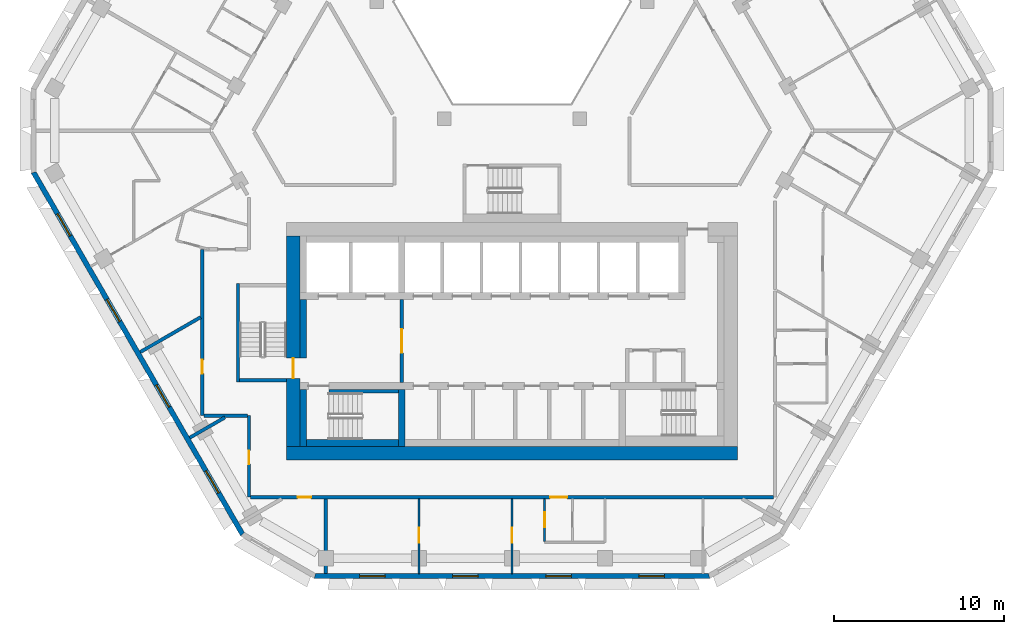
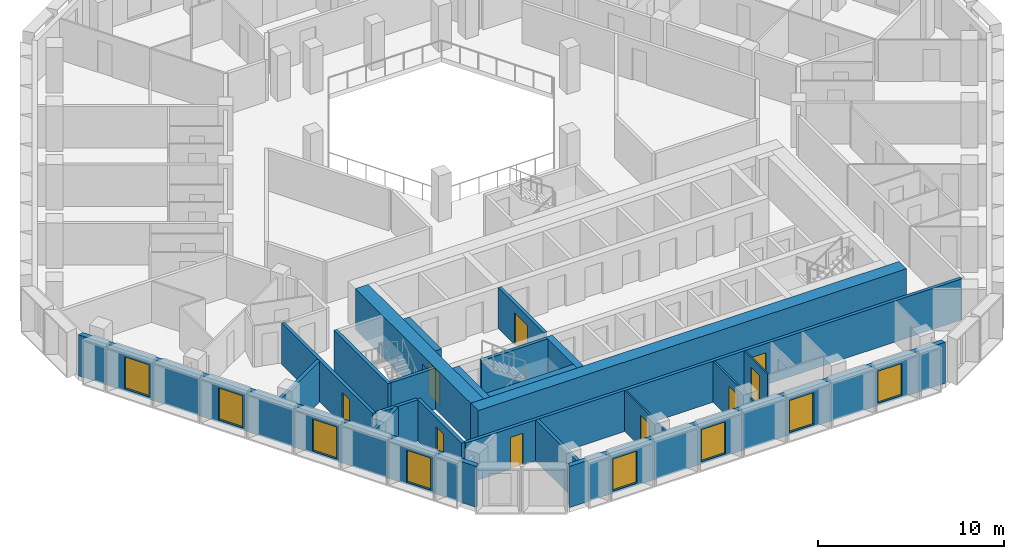
# One storey, part 3 of 15: 22 walls, 9 doors, 8 windows, 17 openings.
"""IFC4 building model written with IfcOpenShell, lengths in metres."""

from ifc_helpers import new_model, si_unit, direction, frame, frame_2d, origin, place, context, subcontext, project, spatial, polyline, rectangle, outline, extrude, material, layer, layer_set, type_object, element, fill, save


model = new_model("IFC4")

# Units and contexts
model_context = context("Model", 3, precision=1e-05, world=origin(), true_north=direction((0.0, 1.0)))
body_context = subcontext(model_context, "Body", "Model", "MODEL_VIEW")
ifc_project = project(units=[si_unit("LENGTHUNIT", "METRE"), si_unit("AREAUNIT", "SQUARE_METRE"), si_unit("VOLUMEUNIT", "CUBIC_METRE"), si_unit("PLANEANGLEUNIT", "RADIAN"), si_unit("MASSUNIT", "GRAM", prefix="KILO")], contexts=[model_context])

# Site, building, storey
site_placement = place(None, origin())
site = spatial("IfcSite", under=ifc_project, at=site_placement, CompositionType="ELEMENT")
building_placement = place(site_placement, origin())
building = spatial("IfcBuilding", under=site, at=building_placement, Name="Beryl Residences", CompositionType="ELEMENT")
storey_placement = place(building_placement, frame((0.0, 0.0, 141.60009765625)))
storey = spatial("IfcBuildingStorey", under=building, at=storey_placement, Name="L43", CompositionType="ELEMENT", Elevation=141.60009765625)

# Wall, openings, windows
ifc_material_1 = material(Name="Composite metal panel with mineral wool insulation")
ifc_layer_1 = layer(ifc_material_1, 0.300048828125)
ifc_layer_set_1 = layer_set([ifc_layer_1], Name="ES1 pale metal composite panel wall 300 mm")
wall_type_1 = type_object("IfcWallType", Name="ES1 pale metal composite panel wall 300 mm", PredefinedType="SOLIDWALL", material=ifc_layer_set_1)
wall_1_placement = place(storey_placement, frame((-28.218017578125, -2.02490234375, 0.0), z_axis=(0.0, 0.0, 1.0), x_axis=(0.500017503135, -0.866015298109, 0.0)))
wall_1 = element("IfcWall", 1, at=wall_1_placement, inside=storey, type_object=wall_type_1, Name="ES1 external wall L43 SW", PredefinedType="SOLIDWALL", context=body_context, shape_type="SweptSolid", body=[
    extrude(outline(polyline([(0.0, -0.14990234375), (24.7109375, -0.14990234375), (24.630615234375, 0.14990234375), (0.080322265625, 0.14990234375), (0.0, -0.14990234375)])), origin(), (0.0, 0.0, 1.0), 2.699951171875),
])
opening_1_placement = place(wall_1_placement, frame((2.85693359375, 0.0, 0.14990234375)))
opening_1 = element("IfcOpeningElement", 2, at=opening_1_placement, cuts=wall_1, Name="Opening W1", PredefinedType="OPENING", context=body_context, shape_type="SweptSolid", body=[
    extrude(rectangle(XDim=1.5, YDim=2.10009765625, at=frame_2d((0.75, 1.050048828125))), frame((0.0, 0.159912109375, 0.0), z_axis=(0.0, -1.0, 0.0), x_axis=(1.0, 0.0, 0.0)), (0.0, 0.0, 1.0), 0.320068359375),
])
opening_2_placement = place(wall_1_placement, frame((8.68896484375, 0.0, 0.14990234375)))
opening_2 = element("IfcOpeningElement", 3, at=opening_2_placement, cuts=wall_1, Name="Opening W1", PredefinedType="OPENING", context=body_context, shape_type="SweptSolid", body=[
    extrude(rectangle(XDim=1.5, YDim=2.10009765625, at=frame_2d((0.75, 1.050048828125))), frame((0.0, 0.159912109375, 0.0), z_axis=(0.0, -1.0, 0.0), x_axis=(1.0, 0.0, 0.0)), (0.0, 0.0, 1.0), 0.320068359375),
])
opening_3_placement = place(wall_1_placement, frame((14.52001953125, 0.0, 0.14990234375)))
opening_3 = element("IfcOpeningElement", 4, at=opening_3_placement, cuts=wall_1, Name="Opening W1", PredefinedType="OPENING", context=body_context, shape_type="SweptSolid", body=[
    extrude(rectangle(XDim=1.5, YDim=2.10009765625, at=frame_2d((0.75, 1.050048828125))), frame((0.0, 0.159912109375, 0.0), z_axis=(0.0, -1.0, 0.0), x_axis=(1.0, 0.0, 0.0)), (0.0, 0.0, 1.0), 0.320068359375),
])
opening_4_placement = place(wall_1_placement, frame((20.35107421875, 0.0, 0.14990234375)))
opening_4 = element("IfcOpeningElement", 5, at=opening_4_placement, cuts=wall_1, Name="Opening W1", PredefinedType="OPENING", context=body_context, shape_type="SweptSolid", body=[
    extrude(rectangle(XDim=1.5, YDim=2.10009765625, at=frame_2d((0.75, 1.050048828125))), frame((0.0, 0.159912109375, 0.0), z_axis=(0.0, -1.0, 0.0), x_axis=(1.0, 0.0, 0.0)), (0.0, 0.0, 1.0), 0.320068359375),
])
ifc_material_2 = material(Name="Aluminium and clear glass", Category="aluminium")
window_type = type_object("IfcWindowType", Name="W1 cell window 1500 x 2100 mm", PartitioningType="SINGLE_PANEL", PredefinedType="WINDOW", material=ifc_material_2)
window_1_placement = place(opening_1_placement, origin())
window_1 = element("IfcWindow", 6, at=window_1_placement, inside=storey, type_object=window_type, Name="W1 window L43 SW 2", OverallHeight=2.10009765625, OverallWidth=1.5, PartitioningType="SINGLE_PANEL", PredefinedType="WINDOW", context=body_context, shape_type="SweptSolid", body=[
    extrude(rectangle(XDim=1.5, YDim=2.10009765625, at=frame_2d((0.75, 1.050048828125))), frame((0.0, 0.030029296875, 0.0), z_axis=(0.0, -1.0, 0.0), x_axis=(1.0, 0.0, 0.0)), (0.0, 0.0, 1.0), 0.06005859375),
])
fill(opening_1, window_1)
window_2_placement = place(opening_2_placement, origin())
window_2 = element("IfcWindow", 7, at=window_2_placement, inside=storey, type_object=window_type, Name="W1 window L43 SW 4", OverallHeight=2.10009765625, OverallWidth=1.5, PartitioningType="SINGLE_PANEL", PredefinedType="WINDOW", context=body_context, shape_type="SweptSolid", body=[
    extrude(rectangle(XDim=1.5, YDim=2.10009765625, at=frame_2d((0.75, 1.050048828125))), frame((0.0, 0.030029296875, 0.0), z_axis=(0.0, -1.0, 0.0), x_axis=(1.0, 0.0, 0.0)), (0.0, 0.0, 1.0), 0.06005859375),
])
fill(opening_2, window_2)
window_3_placement = place(opening_3_placement, origin())
window_3 = element("IfcWindow", 8, at=window_3_placement, inside=storey, type_object=window_type, Name="W1 window L43 SW 6", OverallHeight=2.10009765625, OverallWidth=1.5, PartitioningType="SINGLE_PANEL", PredefinedType="WINDOW", context=body_context, shape_type="SweptSolid", body=[
    extrude(rectangle(XDim=1.5, YDim=2.10009765625, at=frame_2d((0.75, 1.050048828125))), frame((0.0, 0.030029296875, 0.0), z_axis=(0.0, -1.0, 0.0), x_axis=(1.0, 0.0, 0.0)), (0.0, 0.0, 1.0), 0.06005859375),
])
fill(opening_3, window_3)
window_4_placement = place(opening_4_placement, origin())
window_4 = element("IfcWindow", 9, at=window_4_placement, inside=storey, type_object=window_type, Name="W1 window L43 SW 8", OverallHeight=2.10009765625, OverallWidth=1.5, PartitioningType="SINGLE_PANEL", PredefinedType="WINDOW", context=body_context, shape_type="SweptSolid", body=[
    extrude(rectangle(XDim=1.5, YDim=2.10009765625, at=frame_2d((0.75, 1.050048828125))), frame((0.0, 0.030029296875, 0.0), z_axis=(0.0, -1.0, 0.0), x_axis=(1.0, 0.0, 0.0)), (0.0, 0.0, 1.0), 0.06005859375),
])
fill(opening_4, window_4)

wall_2_placement = place(storey_placement, frame((-11.662109375, -25.85009765625, 0.0), z_axis=(0.0, 0.0, 1.0), x_axis=(1.0, 0.0, 0.0)))
wall_2 = element("IfcWall", 10, at=wall_2_placement, inside=storey, type_object=wall_type_1, Name="ES1 external wall L43 S", PredefinedType="SOLIDWALL", context=body_context, shape_type="SweptSolid", body=[
    extrude(outline(polyline([(0.0, -0.14990234375), (23.32421875, -0.14990234375), (23.243896484375, 0.14990234375), (0.080322265625, 0.14990234375), (0.0, -0.14990234375)])), origin(), (0.0, 0.0, 1.0), 2.699951171875),
])
opening_5_placement = place(wall_2_placement, frame((2.68603515625, 0.0, 0.14990234375)))
opening_5 = element("IfcOpeningElement", 11, at=opening_5_placement, cuts=wall_2, Name="Opening W1", PredefinedType="OPENING", context=body_context, shape_type="SweptSolid", body=[
    extrude(rectangle(XDim=1.5, YDim=2.10009765625, at=frame_2d((0.75, 1.050048828125))), frame((0.0, 0.159912109375, 0.0), z_axis=(0.0, -1.0, 0.0), x_axis=(1.0, 0.0, 0.0)), (0.0, 0.0, 1.0), 0.320068359375),
])
opening_6_placement = place(wall_2_placement, frame((8.169921875, 0.0, 0.14990234375)))
opening_6 = element("IfcOpeningElement", 12, at=opening_6_placement, cuts=wall_2, Name="Opening W1", PredefinedType="OPENING", context=body_context, shape_type="SweptSolid", body=[
    extrude(rectangle(XDim=1.5, YDim=2.10009765625, at=frame_2d((0.75, 1.050048828125))), frame((0.0, 0.159912109375, 0.0), z_axis=(0.0, -1.0, 0.0), x_axis=(1.0, 0.0, 0.0)), (0.0, 0.0, 1.0), 0.320068359375),
])
opening_7_placement = place(wall_2_placement, frame((13.656005859375, 0.0, 0.14990234375)))
opening_7 = element("IfcOpeningElement", 13, at=opening_7_placement, cuts=wall_2, Name="Opening W1", PredefinedType="OPENING", context=body_context, shape_type="SweptSolid", body=[
    extrude(rectangle(XDim=1.5, YDim=2.10009765625, at=frame_2d((0.75, 1.050048828125))), frame((0.0, 0.159912109375, 0.0), z_axis=(0.0, -1.0, 0.0), x_axis=(1.0, 0.0, 0.0)), (0.0, 0.0, 1.0), 0.320068359375),
])
opening_8_placement = place(wall_2_placement, frame((19.14111328125, 0.0, 0.14990234375)))
opening_8 = element("IfcOpeningElement", 14, at=opening_8_placement, cuts=wall_2, Name="Opening W1", PredefinedType="OPENING", context=body_context, shape_type="SweptSolid", body=[
    extrude(rectangle(XDim=1.5, YDim=2.10009765625, at=frame_2d((0.75, 1.050048828125))), frame((0.0, 0.159912109375, 0.0), z_axis=(0.0, -1.0, 0.0), x_axis=(1.0, 0.0, 0.0)), (0.0, 0.0, 1.0), 0.320068359375),
])
window_5_placement = place(opening_5_placement, origin())
window_5 = element("IfcWindow", 15, at=window_5_placement, inside=storey, type_object=window_type, Name="W1 window L43 S 2", OverallHeight=2.10009765625, OverallWidth=1.5, PartitioningType="SINGLE_PANEL", PredefinedType="WINDOW", context=body_context, shape_type="SweptSolid", body=[
    extrude(rectangle(XDim=1.5, YDim=2.10009765625, at=frame_2d((0.75, 1.050048828125))), frame((0.0, 0.030029296875, 0.0), z_axis=(0.0, -1.0, 0.0), x_axis=(1.0, 0.0, 0.0)), (0.0, 0.0, 1.0), 0.06005859375),
])
fill(opening_5, window_5)
window_6_placement = place(opening_6_placement, origin())
window_6 = element("IfcWindow", 16, at=window_6_placement, inside=storey, type_object=window_type, Name="W1 window L43 S 4", OverallHeight=2.10009765625, OverallWidth=1.5, PartitioningType="SINGLE_PANEL", PredefinedType="WINDOW", context=body_context, shape_type="SweptSolid", body=[
    extrude(rectangle(XDim=1.5, YDim=2.10009765625, at=frame_2d((0.75, 1.050048828125))), frame((0.0, 0.030029296875, 0.0), z_axis=(0.0, -1.0, 0.0), x_axis=(1.0, 0.0, 0.0)), (0.0, 0.0, 1.0), 0.06005859375),
])
fill(opening_6, window_6)
window_7_placement = place(opening_7_placement, origin())
window_7 = element("IfcWindow", 17, at=window_7_placement, inside=storey, type_object=window_type, Name="W1 window L43 S 6", OverallHeight=2.10009765625, OverallWidth=1.5, PartitioningType="SINGLE_PANEL", PredefinedType="WINDOW", context=body_context, shape_type="SweptSolid", body=[
    extrude(rectangle(XDim=1.5, YDim=2.10009765625, at=frame_2d((0.75, 1.050048828125))), frame((0.0, 0.030029296875, 0.0), z_axis=(0.0, -1.0, 0.0), x_axis=(1.0, 0.0, 0.0)), (0.0, 0.0, 1.0), 0.06005859375),
])
fill(opening_7, window_7)
window_8_placement = place(opening_8_placement, origin())
window_8 = element("IfcWindow", 18, at=window_8_placement, inside=storey, type_object=window_type, Name="W1 window L43 S 8", OverallHeight=2.10009765625, OverallWidth=1.5, PartitioningType="SINGLE_PANEL", PredefinedType="WINDOW", context=body_context, shape_type="SweptSolid", body=[
    extrude(rectangle(XDim=1.5, YDim=2.10009765625, at=frame_2d((0.75, 1.050048828125))), frame((0.0, 0.030029296875, 0.0), z_axis=(0.0, -1.0, 0.0), x_axis=(1.0, 0.0, 0.0)), (0.0, 0.0, 1.0), 0.06005859375),
])
fill(opening_8, window_8)

# Wall, opening, door
ifc_material_3 = material(Name="Gypsum board partition on steel studs", Category="steel")
ifc_layer_2 = layer(ifc_material_3, 0.10009765625)
ifc_layer_set_2 = layer_set([ifc_layer_2], Name="PT1 partition 100 mm gypsum board on steel studs")
wall_type_2 = type_object("IfcWallType", Name="PT1 partition 100 mm gypsum board on steel studs", PredefinedType="PARTITIONING", material=ifc_layer_set_2)
wall_3_placement = place(storey_placement, frame((1.9208984375, -21.300048828125, 0.0), z_axis=(0.0, 0.0, 1.0), x_axis=(0.0, -1.0, 0.0)))
wall_3 = element("IfcWall", 19, at=wall_3_placement, inside=storey, type_object=wall_type_2, Name="Wall PT1 L43 006", PredefinedType="PARTITIONING", context=body_context, shape_type="SweptSolid", body=[
    extrude(rectangle(XDim=2.509033203125, YDim=0.10009765625, at=frame_2d((1.25439453125, 0.0))), origin(), (0.0, 0.0, 1.0), 2.699951171875),
])
opening_9_placement = place(wall_3_placement, frame((0.780029296875, 0.0, 0.0)))
opening_9 = element("IfcOpeningElement", 20, at=opening_9_placement, cuts=wall_3, Name="Opening D1302", PredefinedType="OPENING", context=body_context, shape_type="SweptSolid", body=[
    extrude(rectangle(XDim=0.89990234375, YDim=2.10009765625, at=frame_2d((0.449951171875, 1.050048828125))), frame((0.0, 0.06005859375, 0.0), z_axis=(0.0, -1.0, 0.0), x_axis=(1.0, 0.0, 0.0)), (0.0, 0.0, 1.0), 0.1201171875),
])
ifc_material_4 = material(Name="Timber door leaf", Category="wood")
door_type_1 = type_object("IfcDoorType", Name="D2 room door 900 x 2100 mm", OperationType="SINGLE_SWING_LEFT", PredefinedType="DOOR", material=ifc_material_4)
door_1_placement = place(opening_9_placement, origin())
door_1 = element("IfcDoor", 21, at=door_1_placement, inside=storey, type_object=door_type_1, Name="Door D1302 L43 001", OperationType="SINGLE_SWING_RIGHT", OverallHeight=2.10009765625, OverallWidth=0.89990234375, PredefinedType="DOOR", context=body_context, shape_type="SweptSolid", body=[
    extrude(rectangle(XDim=0.89990234375, YDim=2.10009765625, at=frame_2d((0.449951171875, 1.050048828125))), frame((0.0, 0.02490234375, 0.0), z_axis=(0.0, -1.0, 0.0), x_axis=(1.0, 0.0, 0.0)), (0.0, 0.0, 1.0), 0.050048828125),
])
fill(opening_9, door_1)

wall_4_placement = place(storey_placement, frame((0.0009765625, -25.699951171875, 0.0), z_axis=(0.0, 0.0, 1.0), x_axis=(0.0, 1.0, 0.0)))
wall_4 = element("IfcWall", 22, at=wall_4_placement, inside=storey, type_object=wall_type_2, Name="Wall PT1 L43 042", PredefinedType="PARTITIONING", context=body_context, shape_type="SweptSolid", body=[
    extrude(rectangle(XDim=4.39990234375, YDim=0.10009765625, at=frame_2d((2.199951171875, 0.0))), origin(), (0.0, 0.0, 1.0), 2.699951171875),
])
opening_10_placement = place(wall_4_placement, frame((1.800048828125, 0.0, 0.0)))
opening_10 = element("IfcOpeningElement", 23, at=opening_10_placement, cuts=wall_4, Name="Opening D1305", PredefinedType="OPENING", context=body_context, shape_type="SweptSolid", body=[
    extrude(rectangle(XDim=0.89990234375, YDim=2.10009765625, at=frame_2d((0.449951171875, 1.050048828125))), frame((0.0, 0.06005859375, 0.0), z_axis=(0.0, -1.0, 0.0), x_axis=(1.0, 0.0, 0.0)), (0.0, 0.0, 1.0), 0.1201171875),
])
door_2_placement = place(opening_10_placement, origin())
door_2 = element("IfcDoor", 24, at=door_2_placement, inside=storey, type_object=door_type_1, Name="Door D1305 L43 001", OperationType="SINGLE_SWING_LEFT", OverallHeight=2.10009765625, OverallWidth=0.89990234375, PredefinedType="DOOR", context=body_context, shape_type="SweptSolid", body=[
    extrude(rectangle(XDim=0.89990234375, YDim=2.10009765625, at=frame_2d((0.449951171875, 1.050048828125))), frame((0.0, 0.02490234375, 0.0), z_axis=(0.0, -1.0, 0.0), x_axis=(1.0, 0.0, 0.0)), (0.0, 0.0, 1.0), 0.050048828125),
])
fill(opening_10, door_2)

wall_5_placement = place(storey_placement, frame((-5.48388671875, -25.699951171875, 0.0), z_axis=(0.0, 0.0, 1.0), x_axis=(0.0, 1.0, 0.0)))
wall_5 = element("IfcWall", 25, at=wall_5_placement, inside=storey, type_object=wall_type_2, Name="Wall PT1 L43 044", PredefinedType="PARTITIONING", context=body_context, shape_type="SweptSolid", body=[
    extrude(rectangle(XDim=4.39990234375, YDim=0.10009765625, at=frame_2d((2.199951171875, 0.0))), origin(), (0.0, 0.0, 1.0), 2.699951171875),
])
opening_11_placement = place(wall_5_placement, frame((1.800048828125, 0.0, 0.0)))
opening_11 = element("IfcOpeningElement", 26, at=opening_11_placement, cuts=wall_5, Name="Opening D1306", PredefinedType="OPENING", context=body_context, shape_type="SweptSolid", body=[
    extrude(rectangle(XDim=0.89990234375, YDim=2.10009765625, at=frame_2d((0.449951171875, 1.050048828125))), frame((0.0, 0.06005859375, 0.0), z_axis=(0.0, -1.0, 0.0), x_axis=(1.0, 0.0, 0.0)), (0.0, 0.0, 1.0), 0.1201171875),
])
door_3_placement = place(opening_11_placement, origin())
door_3 = element("IfcDoor", 27, at=door_3_placement, inside=storey, type_object=door_type_1, Name="Door D1306 L43 001", OperationType="SINGLE_SWING_RIGHT", OverallHeight=2.10009765625, OverallWidth=0.89990234375, PredefinedType="DOOR", context=body_context, shape_type="SweptSolid", body=[
    extrude(rectangle(XDim=0.89990234375, YDim=2.10009765625, at=frame_2d((0.449951171875, 1.050048828125))), frame((0.0, 0.02490234375, 0.0), z_axis=(0.0, -1.0, 0.0), x_axis=(1.0, 0.0, 0.0)), (0.0, 0.0, 1.0), 0.050048828125),
])
fill(opening_11, door_3)

ifc_material_5 = material(Name="Concrete masonry", Category="masonry")
ifc_layer_3 = layer(ifc_material_5, 0.199951171875)
ifc_layer_set_3 = layer_set([ifc_layer_3], Name="PT13 lobby wall 200 mm")
wall_type_3 = type_object("IfcWallType", Name="PT13 lobby wall 200 mm", PredefinedType="PARTITIONING", material=ifc_layer_set_3)
wall_6_placement = place(storey_placement, frame((-6.5, -14.449951171875, 0.0), z_axis=(0.0, 0.0, 1.0), x_axis=(0.0, 1.0, 0.0)))
wall_6 = element("IfcWall", 28, at=wall_6_placement, inside=storey, type_object=wall_type_3, Name="Lobby wall 11", PredefinedType="PARTITIONING", context=body_context, shape_type="SweptSolid", body=[
    extrude(rectangle(XDim=4.89990234375, YDim=0.199951171875, at=frame_2d((2.449951171875, 0.0))), origin(), (0.0, 0.0, 1.0), 2.699951171875),
])
opening_12_placement = place(wall_6_placement, frame((3.14990234375, 0.0, 0.0), z_axis=(0.0, 0.0, 1.0), x_axis=(-1.0, 0.0, 0.0)))
opening_12 = element("IfcOpeningElement", 29, at=opening_12_placement, cuts=wall_6, Name="Opening FD-FFL", PredefinedType="OPENING", context=body_context, shape_type="SweptSolid", body=[
    extrude(rectangle(XDim=1.39990234375, YDim=2.10009765625, at=frame_2d((0.699951171875, 1.050048828125))), frame((0.0, 0.10986328125, 0.0), z_axis=(0.0, -1.0, 0.0), x_axis=(1.0, 0.0, 0.0)), (0.0, 0.0, 1.0), 0.219970703125),
])
ifc_material_6 = material(Name="Steel door leaf in steel frame", Category="steel")
door_type_2 = type_object("IfcDoorType", Name="D5 lobby door 1400 x 2100 mm", OperationType="DOUBLE_DOOR_SINGLE_SWING", PredefinedType="DOOR", material=ifc_material_6)
door_4_placement = place(opening_12_placement, origin())
door_4 = element("IfcDoor", 30, at=door_4_placement, inside=storey, type_object=door_type_2, Name="Door FD-FFL L43 001", OperationType="DOUBLE_DOOR_SINGLE_SWING", OverallHeight=2.10009765625, OverallWidth=1.39990234375, PredefinedType="DOOR", context=body_context, shape_type="SweptSolid", body=[
    extrude(rectangle(XDim=1.39990234375, YDim=2.10009765625, at=frame_2d((0.699951171875, 1.050048828125))), frame((0.0, 0.02490234375, 0.0), z_axis=(0.0, -1.0, 0.0), x_axis=(1.0, 0.0, 0.0)), (0.0, 0.0, 1.0), 0.050048828125),
])
fill(opening_12, door_4)

# Walls
ifc_material_7 = material(Name="Concrete masonry", Category="masonry")
ifc_layer_4 = layer(ifc_material_7, 0.39990234375)
ifc_layer_set_4 = layer_set([ifc_layer_4], Name="PT13-400 lobby wall 400 mm")
wall_type_4 = type_object("IfcWallType", Name="PT13-400 lobby wall 400 mm", PredefinedType="PARTITIONING", material=ifc_layer_set_4)
wall_7_placement = place(storey_placement, frame((-12.300048828125, -13.0, 0.0), z_axis=(0.0, 0.0, 1.0), x_axis=(0.0, 1.0, 0.0)))
element("IfcWall", 31, at=wall_7_placement, inside=storey, type_object=wall_type_4, Name="Lobby wall 05", PredefinedType="PARTITIONING", context=body_context, shape_type="SweptSolid", body=[
    extrude(rectangle(XDim=3.449951171875, YDim=0.39990234375, at=frame_2d((1.72509765625, 0.0))), origin(), (0.0, 0.0, 1.0), 2.699951171875),
])
ifc_material_8 = material(Name="Acoustic double stud gypsum board wall")
ifc_layer_5 = layer(ifc_material_8, 0.199951171875)
ifc_layer_set_5 = layer_set([ifc_layer_5], Name="PT3 party wall 200 mm acoustic double stud")
wall_type_5 = type_object("IfcWallType", Name="PT3 party wall 200 mm acoustic double stud", PredefinedType="PARTITIONING", material=ifc_layer_set_5)
wall_8_placement = place(storey_placement, frame((-10.968994140625, -25.699951171875, 0.0), z_axis=(0.0, 0.0, 1.0), x_axis=(0.0, 1.0, 0.0)))
element("IfcWall", 32, at=wall_8_placement, inside=storey, type_object=wall_type_5, Name="Wall PT3 L43 009", PredefinedType="PARTITIONING", context=body_context, shape_type="SweptSolid", body=[
    extrude(rectangle(XDim=4.39990234375, YDim=0.199951171875, at=frame_2d((2.199951171875, 0.0))), origin(), (0.0, 0.0, 1.0), 2.699951171875),
])
wall_9_placement = place(storey_placement, frame((-18.9951171875, -17.698974609375, 0.0), z_axis=(0.0, 0.0, 1.0), x_axis=(0.86607371389, 0.499916315105, 0.0)))
element("IfcWall", 33, at=wall_9_placement, inside=storey, type_object=wall_type_5, Name="Wall PT3 L43 010", PredefinedType="PARTITIONING", context=body_context, shape_type="SweptSolid", body=[
    extrude(rectangle(XDim=2.3984375, YDim=0.199951171875, at=frame_2d((1.19921875, 0.0))), origin(), (0.0, 0.0, 1.0), 2.699951171875),
])
wall_10_placement = place(storey_placement, frame((-21.910888671875, -12.64892578125, 0.0), z_axis=(0.0, 0.0, 1.0), x_axis=(0.866016499285, 0.500015422728, 0.0)))
element("IfcWall", 34, at=wall_10_placement, inside=storey, type_object=wall_type_5, Name="Wall PT3 L43 013", PredefinedType="PARTITIONING", context=body_context, shape_type="SweptSolid", body=[
    extrude(rectangle(XDim=4.111572265625, YDim=0.199951171875, at=frame_2d((2.0556640625, 0.0))), origin(), (0.0, 0.0, 1.0), 2.699951171875),
])
ifc_material_9 = material(Name="Double stud gypsum board wall")
ifc_layer_6 = layer(ifc_material_9, 0.199951171875)
ifc_layer_set_6 = layer_set([ifc_layer_6], Name="PT4 corridor wall 200 mm double stud")
wall_type_6 = type_object("IfcWallType", Name="PT4 corridor wall 200 mm double stud", PredefinedType="PARTITIONING", material=ifc_layer_set_6)
wall_11_placement = place(storey_placement, frame((-18.14990234375, -16.39990234375, 0.0), z_axis=(0.0, 0.0, 1.0), x_axis=(1.0, 0.0, 0.0)))
element("IfcWall", 35, at=wall_11_placement, inside=storey, type_object=wall_type_6, Name="Wall PT4 L43 010", PredefinedType="PARTITIONING", context=body_context, shape_type="SweptSolid", body=[
    extrude(rectangle(XDim=2.5498046875, YDim=0.199951171875, at=frame_2d((1.27490234375, 0.0))), origin(), (0.0, 0.0, 1.0), 2.699951171875),
])

# Wall, openings, doors
wall_12_placement = place(storey_placement, frame((-15.39990234375, -21.199951171875, 0.0), z_axis=(0.0, 0.0, 1.0), x_axis=(1.0, 0.0, 0.0)))
wall_12 = element("IfcWall", 36, at=wall_12_placement, inside=storey, type_object=wall_type_6, Name="Wall PT4 L43 011", PredefinedType="PARTITIONING", context=body_context, shape_type="SweptSolid", body=[
    extrude(rectangle(XDim=30.798828125, YDim=0.199951171875, at=frame_2d((15.3994140625, 0.0))), origin(), (0.0, 0.0, 1.0), 2.699951171875),
])
opening_13_placement = place(wall_12_placement, frame((17.64306640625, 0.0, 0.0)))
opening_13 = element("IfcOpeningElement", 37, at=opening_13_placement, cuts=wall_12, Name="Opening D1301", PredefinedType="OPENING", context=body_context, shape_type="SweptSolid", body=[
    extrude(rectangle(XDim=1.0, YDim=2.10009765625, at=frame_2d((0.5, 1.050048828125))), frame((0.0, 0.10986328125, 0.0), z_axis=(0.0, -1.0, 0.0), x_axis=(1.0, 0.0, 0.0)), (0.0, 0.0, 1.0), 0.219970703125),
])
opening_14_placement = place(wall_12_placement, frame((2.764892578125, 0.0, 0.0)))
opening_14 = element("IfcOpeningElement", 38, at=opening_14_placement, cuts=wall_12, Name="Opening D1355", PredefinedType="OPENING", context=body_context, shape_type="SweptSolid", body=[
    extrude(rectangle(XDim=0.800048828125, YDim=2.10009765625, at=frame_2d((0.39990234375, 1.050048828125))), frame((0.0, 0.10986328125, 0.0), z_axis=(0.0, -1.0, 0.0), x_axis=(1.0, 0.0, 0.0)), (0.0, 0.0, 1.0), 0.219970703125),
])
ifc_material_10 = material(Name="Timber door leaf", Category="wood")
door_type_3 = type_object("IfcDoorType", Name="D1 flat entrance door 1000 x 2100 mm", OperationType="SINGLE_SWING_LEFT", PredefinedType="DOOR", material=ifc_material_10)
door_5_placement = place(opening_13_placement, origin())
door_5 = element("IfcDoor", 39, at=door_5_placement, inside=storey, type_object=door_type_3, Name="Door D1301 L43 001", OperationType="SINGLE_SWING_LEFT", OverallHeight=2.10009765625, OverallWidth=1.0, PredefinedType="DOOR", context=body_context, shape_type="SweptSolid", body=[
    extrude(rectangle(XDim=1.0, YDim=2.10009765625, at=frame_2d((0.5, 1.050048828125))), frame((0.0, 0.02490234375, 0.0), z_axis=(0.0, -1.0, 0.0), x_axis=(1.0, 0.0, 0.0)), (0.0, 0.0, 1.0), 0.050048828125),
])
fill(opening_13, door_5)
ifc_material_11 = material(Name="Timber door leaf", Category="wood")
door_type_4 = type_object("IfcDoorType", Name="D3 bathroom door 800 x 2100 mm", OperationType="SINGLE_SWING_LEFT", PredefinedType="DOOR", material=ifc_material_11)
door_6_placement = place(opening_14_placement, origin())
door_6 = element("IfcDoor", 40, at=door_6_placement, inside=storey, type_object=door_type_4, Name="Door D1355 L43 001", OperationType="SINGLE_SWING_LEFT", OverallHeight=2.10009765625, OverallWidth=0.800048828125, PredefinedType="DOOR", context=body_context, shape_type="SweptSolid", body=[
    extrude(rectangle(XDim=0.800048828125, YDim=2.10009765625, at=frame_2d((0.39990234375, 1.050048828125))), frame((0.0, 0.02490234375, 0.0), z_axis=(0.0, -1.0, 0.0), x_axis=(1.0, 0.0, 0.0)), (0.0, 0.0, 1.0), 0.050048828125),
])
fill(opening_14, door_6)

# Wall, opening, door
wall_13_placement = place(storey_placement, frame((-15.5, -21.199951171875, 0.0), z_axis=(0.0, 0.0, 1.0), x_axis=(0.0, 1.0, 0.0)))
wall_13 = element("IfcWall", 41, at=wall_13_placement, inside=storey, type_object=wall_type_6, Name="Wall PT4 L43 027", PredefinedType="PARTITIONING", context=body_context, shape_type="SweptSolid", body=[
    extrude(rectangle(XDim=4.800048828125, YDim=0.199951171875, at=frame_2d((2.39990234375, 0.0))), origin(), (0.0, 0.0, 1.0), 2.699951171875),
])
opening_15_placement = place(wall_13_placement, frame((1.93994140625, 0.0, 0.0)))
opening_15 = element("IfcOpeningElement", 42, at=opening_15_placement, cuts=wall_13, Name="Opening D1354", PredefinedType="OPENING", context=body_context, shape_type="SweptSolid", body=[
    extrude(rectangle(XDim=0.800048828125, YDim=2.10009765625, at=frame_2d((0.39990234375, 1.050048828125))), frame((0.0, 0.10986328125, 0.0), z_axis=(0.0, -1.0, 0.0), x_axis=(1.0, 0.0, 0.0)), (0.0, 0.0, 1.0), 0.219970703125),
])
door_7_placement = place(opening_15_placement, origin())
door_7 = element("IfcDoor", 43, at=door_7_placement, inside=storey, type_object=door_type_4, Name="Door D1354 L43 001", OperationType="SINGLE_SWING_RIGHT", OverallHeight=2.10009765625, OverallWidth=0.800048828125, PredefinedType="DOOR", context=body_context, shape_type="SweptSolid", body=[
    extrude(rectangle(XDim=0.800048828125, YDim=2.10009765625, at=frame_2d((0.39990234375, 1.050048828125))), frame((0.0, 0.02490234375, 0.0), z_axis=(0.0, -1.0, 0.0), x_axis=(1.0, 0.0, 0.0)), (0.0, 0.0, 1.0), 0.050048828125),
])
fill(opening_15, door_7)

wall_14_placement = place(storey_placement, frame((-18.25, -16.39990234375, 0.0), z_axis=(0.0, 0.0, 1.0), x_axis=(0.0, 1.0, 0.0)))
wall_14 = element("IfcWall", 44, at=wall_14_placement, inside=storey, type_object=wall_type_6, Name="Wall PT4 L43 029", PredefinedType="PARTITIONING", context=body_context, shape_type="SweptSolid", body=[
    extrude(rectangle(XDim=9.798828125, YDim=0.199951171875, at=frame_2d((4.8994140625, 0.0))), origin(), (0.0, 0.0, 1.0), 2.699951171875),
])
opening_16_placement = place(wall_14_placement, frame((2.485107421875, 0.0, 0.0)))
opening_16 = element("IfcOpeningElement", 45, at=opening_16_placement, cuts=wall_14, Name="Opening D1353", PredefinedType="OPENING", context=body_context, shape_type="SweptSolid", body=[
    extrude(rectangle(XDim=0.800048828125, YDim=2.10009765625, at=frame_2d((0.39990234375, 1.050048828125))), frame((0.0, 0.10986328125, 0.0), z_axis=(0.0, -1.0, 0.0), x_axis=(1.0, 0.0, 0.0)), (0.0, 0.0, 1.0), 0.219970703125),
])
door_8_placement = place(opening_16_placement, origin())
door_8 = element("IfcDoor", 46, at=door_8_placement, inside=storey, type_object=door_type_4, Name="Door D1353 L43 001", OperationType="SINGLE_SWING_LEFT", OverallHeight=2.10009765625, OverallWidth=0.800048828125, PredefinedType="DOOR", context=body_context, shape_type="SweptSolid", body=[
    extrude(rectangle(XDim=0.800048828125, YDim=2.10009765625, at=frame_2d((0.39990234375, 1.050048828125))), frame((0.0, 0.02490234375, 0.0), z_axis=(0.0, -1.0, 0.0), x_axis=(1.0, 0.0, 0.0)), (0.0, 0.0, 1.0), 0.050048828125),
])
fill(opening_16, door_8)

# Walls
ifc_material_12 = material(Name="Concrete C40/50", Category="concrete")
ifc_layer_7 = layer(ifc_material_12, 0.199951171875)
ifc_layer_set_7 = layer_set([ifc_layer_7], Name="PT5 stair enclosure wall 200 mm reinforced concrete C40/50")
wall_type_7 = type_object("IfcWallType", Name="PT5 stair enclosure wall 200 mm reinforced concrete C40/50", PredefinedType="SOLIDWALL", material=ifc_layer_set_7)
wall_15_placement = place(storey_placement, frame((-16.14990234375, -14.39990234375, 0.0), z_axis=(0.0, 0.0, 1.0), x_axis=(0.0, 1.0, 0.0)))
element("IfcWall", 47, at=wall_15_placement, inside=storey, type_object=wall_type_7, Name="Stair wall 01", PredefinedType="SOLIDWALL", context=body_context, shape_type="SweptSolid", body=[
    extrude(rectangle(XDim=5.7998046875, YDim=0.199951171875, at=frame_2d((2.89990234375, 0.0))), origin(), (0.0, 0.0, 1.0), 2.699951171875),
])
wall_16_placement = place(storey_placement, frame((-16.050048828125, -14.300048828125, 0.0), z_axis=(0.0, 0.0, 1.0), x_axis=(1.0, 0.0, 0.0)))
element("IfcWall", 48, at=wall_16_placement, inside=storey, type_object=wall_type_7, Name="Stair wall 02", PredefinedType="SOLIDWALL", context=body_context, shape_type="SweptSolid", body=[
    extrude(rectangle(XDim=2.75, YDim=0.199951171875, at=frame_2d((1.375, 0.0))), origin(), (0.0, 0.0, 1.0), 2.699951171875),
])
wall_17_placement = place(storey_placement, frame((-10.800048828125, -14.949951171875, 0.0), z_axis=(0.0, 0.0, 1.0), x_axis=(1.0, 0.0, 0.0)))
element("IfcWall", 49, at=wall_17_placement, inside=storey, type_object=wall_type_7, Name="Stair wall 09", PredefinedType="SOLIDWALL", context=body_context, shape_type="SweptSolid", body=[
    extrude(rectangle(XDim=4.10009765625, YDim=0.199951171875, at=frame_2d((2.050048828125, 0.0))), origin(), (0.0, 0.0, 1.0), 2.699951171875),
])
ifc_material_13 = material(Name="Concrete C40/50", Category="concrete")
ifc_layer_8 = layer(ifc_material_13, 0.39990234375)
ifc_layer_set_8 = layer_set([ifc_layer_8], Name="PT5-400 stair enclosure wall 400 mm")
wall_type_8 = type_object("IfcWallType", Name="PT5-400 stair enclosure wall 400 mm", PredefinedType="SOLIDWALL", material=ifc_layer_set_8)
wall_18_placement = place(storey_placement, frame((-12.300048828125, -18.199951171875, 0.0), z_axis=(0.0, 0.0, 1.0), x_axis=(0.0, 1.0, 0.0)))
element("IfcWall", 50, at=wall_18_placement, inside=storey, type_object=wall_type_8, Name="Stair wall 04", PredefinedType="SOLIDWALL", context=body_context, shape_type="SweptSolid", body=[
    extrude(rectangle(XDim=3.349853515625, YDim=0.39990234375, at=frame_2d((1.6748046875, 0.0))), origin(), (0.0, 0.0, 1.0), 2.699951171875),
])
wall_19_placement = place(storey_placement, frame((-12.10009765625, -18.0, 0.0), z_axis=(0.0, 0.0, 1.0), x_axis=(1.0, 0.0, 0.0)))
element("IfcWall", 51, at=wall_19_placement, inside=storey, type_object=wall_type_8, Name="Stair wall 07", PredefinedType="SOLIDWALL", context=body_context, shape_type="SweptSolid", body=[
    extrude(rectangle(XDim=5.400146484375, YDim=0.39990234375, at=frame_2d((2.7001953125, 0.0))), origin(), (0.0, 0.0, 1.0), 2.699951171875),
])
ifc_material_14 = material(Name="Concrete C60/75", Category="concrete")
ifc_layer_9 = layer(ifc_material_14, 0.800048828125)
ifc_layer_set_9 = layer_set([ifc_layer_9], Name="SW3 core outer wall 800 mm C60/75")
wall_type_9 = type_object("IfcWallType", Name="SW3 core outer wall 800 mm C60/75", PredefinedType="SHEAR", material=ifc_layer_set_9)
wall_20_placement = place(storey_placement, frame((-13.300048828125, -18.60009765625, 0.0), z_axis=(0.0, 0.0, 1.0), x_axis=(1.0, 0.0, 0.0)))
element("IfcWall", 52, at=wall_20_placement, inside=storey, type_object=wall_type_9, Name="Core wall S L43", PredefinedType="SHEAR", context=body_context, shape_type="SweptSolid", body=[
    extrude(rectangle(XDim=26.60009765625, YDim=0.800048828125, at=frame_2d((13.300048828125, 0.0))), origin(), (0.0, 0.0, 1.0), 2.699951171875),
])

# Wall, opening, door
wall_21_placement = place(storey_placement, frame((-12.89990234375, -18.199951171875, 0.0), z_axis=(0.0, 0.0, 1.0), x_axis=(0.0, 1.0, 0.0)))
wall_21 = element("IfcWall", 53, at=wall_21_placement, inside=storey, type_object=wall_type_9, Name="Core wall W L43", PredefinedType="SHEAR", context=body_context, shape_type="SweptSolid", body=[
    extrude(rectangle(XDim=12.39990234375, YDim=0.800048828125, at=frame_2d((6.199951171875, 0.0))), origin(), (0.0, 0.0, 1.0), 2.699951171875),
])
opening_17_placement = place(wall_21_placement, frame((4.0, 0.0, 0.0)))
opening_17 = element("IfcOpeningElement", 54, at=opening_17_placement, cuts=wall_21, Name="Opening SD-2", PredefinedType="OPENING", context=body_context, shape_type="SweptSolid", body=[
    extrude(rectangle(XDim=1.199951171875, YDim=2.10009765625, at=frame_2d((0.60009765625, 1.050048828125))), frame((0.0, 0.409912109375, 0.0), z_axis=(0.0, -1.0, 0.0), x_axis=(1.0, 0.0, 0.0)), (0.0, 0.0, 1.0), 0.820068359375),
])
ifc_material_15 = material(Name="Steel door leaf in steel frame", Category="steel")
door_type_5 = type_object("IfcDoorType", Name="D4 stair door 1200 x 2100 mm", OperationType="SINGLE_SWING_LEFT", PredefinedType="DOOR", material=ifc_material_15)
door_9_placement = place(opening_17_placement, origin())
door_9 = element("IfcDoor", 55, at=door_9_placement, inside=storey, type_object=door_type_5, Name="Door SD-2 L43 001", OperationType="SINGLE_SWING_RIGHT", OverallHeight=2.10009765625, OverallWidth=1.199951171875, PredefinedType="DOOR", context=body_context, shape_type="SweptSolid", body=[
    extrude(rectangle(XDim=1.199951171875, YDim=2.10009765625, at=frame_2d((0.60009765625, 1.050048828125))), frame((0.0, 0.02490234375, 0.0), z_axis=(0.0, -1.0, 0.0), x_axis=(1.0, 0.0, 0.0)), (0.0, 0.0, 1.0), 0.050048828125),
])
fill(opening_17, door_9)

# Wall
ifc_material_16 = material(Name="Concrete C60/75", Category="concrete")
ifc_layer_10 = layer(ifc_material_16, 0.39990234375)
ifc_layer_set_10 = layer_set([ifc_layer_10], Name="SW8 core internal wall 400 mm C60/75")
wall_type_10 = type_object("IfcWallType", Name="SW8 core internal wall 400 mm C60/75", PredefinedType="SHEAR", material=ifc_layer_set_10)
wall_22_placement = place(storey_placement, frame((-6.5, -18.199951171875, 0.0), z_axis=(0.0, 0.0, 1.0), x_axis=(0.0, 1.0, 0.0)))
element("IfcWall", 56, at=wall_22_placement, inside=storey, type_object=wall_type_10, Name="Core wall XS1 L43", PredefinedType="SHEAR", context=body_context, shape_type="SweptSolid", body=[
    extrude(rectangle(XDim=3.349853515625, YDim=0.39990234375, at=frame_2d((1.6748046875, 0.0))), origin(), (0.0, 0.0, 1.0), 2.699951171875),
])

save(model, "model.ifc")
